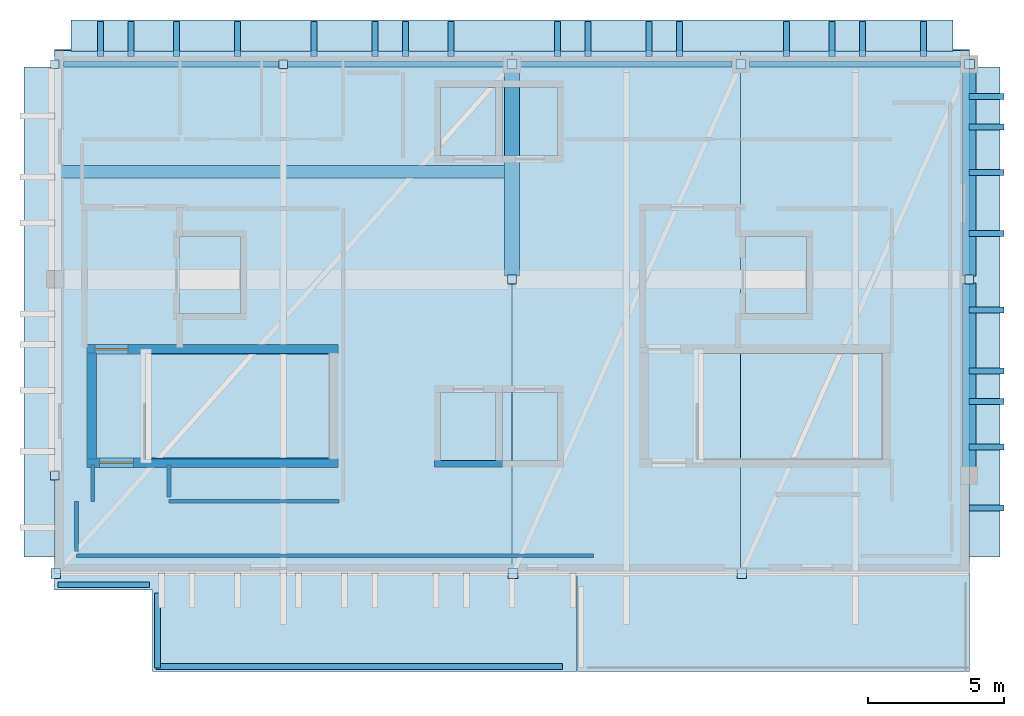
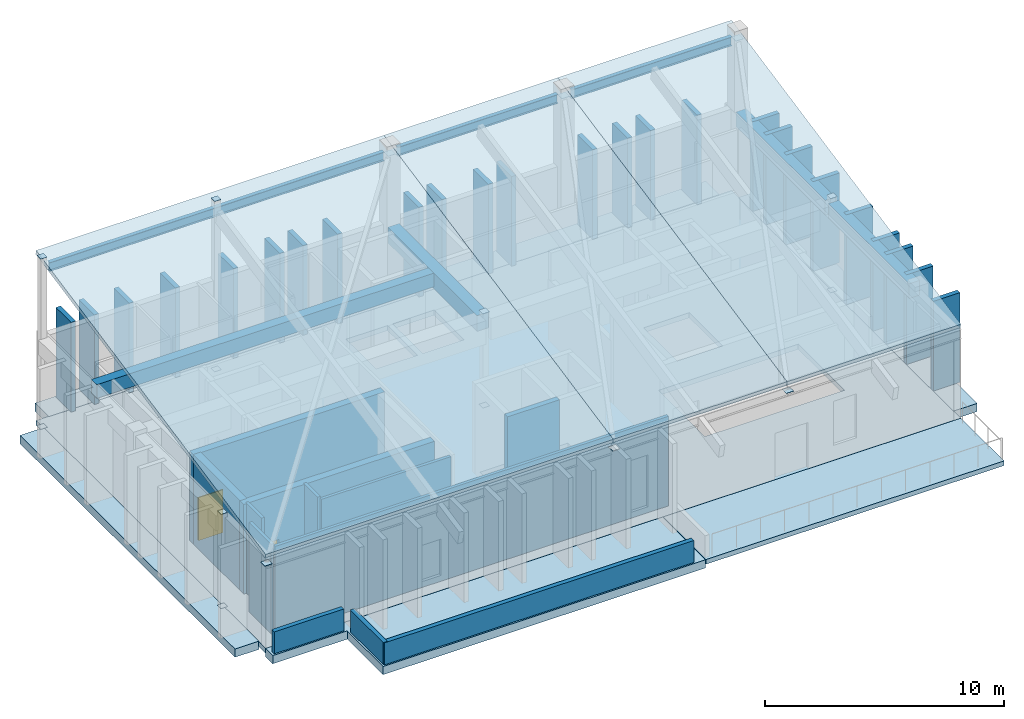
# One storey, part 2 of 5: 25 members, 16 plates, 12 walls, 9 slabs, 7 beams, 2 doors, 2 openings.
"""IFC4 building model written with IfcOpenShell, lengths in metres."""

from ifc_helpers import new_model, si_unit, direction, frame, frame_2d, origin, origin_2d, place, context, subcontext, project, spatial, polyline, rectangle, i_section, outline, extrude, material, layer, layer_set, material_profile, profile_set, type_object, element, fill, save


model = new_model("IFC4")

# Units and contexts
model_context = context("Model", 3, precision=1e-05, world=origin(), true_north=direction((0.0, 1.0)))
body_context = subcontext(model_context, "Body", "Model", "MODEL_VIEW")
ifc_project = project(units=[si_unit("LENGTHUNIT", "METRE"), si_unit("AREAUNIT", "SQUARE_METRE"), si_unit("VOLUMEUNIT", "CUBIC_METRE"), si_unit("PLANEANGLEUNIT", "RADIAN"), si_unit("MASSUNIT", "GRAM", prefix="KILO")], contexts=[model_context])

# Site, building, storey
site_placement = place(None, origin())
site = spatial("IfcSite", under=ifc_project, at=site_placement, CompositionType="ELEMENT")
building_placement = place(site_placement, origin())
building = spatial("IfcBuilding", under=site, at=building_placement, Name="Quendrovan Civic Courthouse", CompositionType="ELEMENT")
storey_placement = place(building_placement, frame((0.0, 0.0, 44.699951171875)))
storey = spatial("IfcBuildingStorey", under=building, at=storey_placement, Name="L10", CompositionType="ELEMENT", Elevation=44.699951171875)

# Beams
ifc_material_1 = material(Name="Concrete C40/50", Category="concrete")
ifc_material_profile_1 = material_profile(ifc_material_1, rectangle(XDim=0.449951171875, YDim=0.699951171875, at=origin_2d()), Name="RC-BM-450x700")
ifc_profile_set_1 = profile_set([ifc_material_profile_1], Name="Concrete C40/50")
beam_type_1 = type_object("IfcBeamType", Name="BM-RC700", PredefinedType="JOIST", material=ifc_profile_set_1)
beam_1_placement = place(storey_placement, frame((33.830078125, 105.949951171875, 4.22998046875), z_axis=(1.0, 0.0, 0.0), x_axis=(0.0, 1.0, 0.0)))
element("IfcBeam", 1, at=beam_1_placement, inside=storey, type_object=beam_type_1, Name="L10 Secondary Joist 1203", PredefinedType="JOIST", context=body_context, shape_type="SweptSolid", body=[
    extrude(rectangle(XDim=0.449951171875, YDim=0.699951171875, at=origin_2d()), origin(), (0.0, 0.0, 1.0), 16.31494140625),
])
ifc_material_profile_2 = material_profile(ifc_material_1, rectangle(XDim=0.5, YDim=0.75, at=origin_2d()), Name="RC-BM-500x750")
ifc_profile_set_2 = profile_set([ifc_material_profile_2], Name="Concrete C40/50")
beam_type_2 = type_object("IfcBeamType", Name="BM-RC750", PredefinedType="SPANDREL", material=ifc_profile_set_2)
beam_2_placement = place(storey_placement, frame((67.199951171875, 95.10498046875, 4.205078125), z_axis=(0.0, 1.0, 0.0), x_axis=(-1.0, 0.0, 0.0)))
element("IfcBeam", 2, at=beam_2_placement, inside=storey, type_object=beam_type_2, Name="L10 Girder Y1201", PredefinedType="SPANDREL", context=body_context, shape_type="SweptSolid", body=[
    extrude(rectangle(XDim=0.5, YDim=0.75, at=origin_2d()), origin(), (0.0, 0.0, 1.0), 6.76513671875),
])
beam_3_placement = place(storey_placement, frame((67.199951171875, 102.1298828125, 4.205078125), z_axis=(0.0, 1.0, 0.0), x_axis=(-1.0, 0.0, 0.0)))
element("IfcBeam", 3, at=beam_3_placement, inside=storey, type_object=beam_type_2, Name="L10 Girder Y1202", PredefinedType="SPANDREL", context=body_context, shape_type="SweptSolid", body=[
    extrude(rectangle(XDim=0.5, YDim=0.75, at=origin_2d()), origin(), (0.0, 0.0, 1.0), 7.465087890625),
])
ifc_material_profile_3 = material_profile(ifc_material_1, rectangle(XDim=0.550048828125, YDim=0.800048828125, at=origin_2d()), Name="RC-BM-550x800")
ifc_profile_set_3 = profile_set([ifc_material_profile_3], Name="Concrete C40/50")
beam_type_3 = type_object("IfcBeamType", Name="BM-RC800", PredefinedType="BEAM", material=ifc_profile_set_3)
beam_4_placement = place(storey_placement, frame((50.39990234375, 102.1298828125, 4.179931640625), z_axis=(0.0, 1.0, 0.0), x_axis=(-1.0, 0.0, 0.0)))
element("IfcBeam", 4, at=beam_4_placement, inside=storey, type_object=beam_type_3, Name="L10 Girder Y1200", PredefinedType="BEAM", context=body_context, shape_type="SweptSolid", body=[
    extrude(rectangle(XDim=0.550048828125, YDim=0.800048828125, at=origin_2d()), origin(), (0.0, 0.0, 1.0), 7.465087890625),
])
ifc_material_2 = material(Name="Steel ASTM A992 Grade 50", Category="steel")
ifc_material_profile_4 = material_profile(ifc_material_2, i_section(OverallWidth=0.18994140625, OverallDepth=0.45703125, WebThickness=0.009033203125, FlangeThickness=0.014404296875, at=origin_2d()), Name="W460x74")
ifc_profile_set_4 = profile_set([ifc_material_profile_4], Name="Steel ASTM A992 Grade 50")
beam_type_4 = type_object("IfcBeamType", Name="BM-STL-W460", PredefinedType="BEAM", material=ifc_profile_set_4)
beam_5_placement = place(storey_placement, frame((33.919921875, 109.89990234375, 8.0810546875), z_axis=(1.0, 0.0, 0.0), x_axis=(0.0, 1.0, 0.0)))
element("IfcBeam", 5, at=beam_5_placement, inside=storey, type_object=beam_type_4, Name="L10 Roof Ridge Beam 1", PredefinedType="BEAM", context=body_context, shape_type="SweptSolid", body=[
    extrude(i_section(OverallWidth=0.18994140625, OverallDepth=0.45703125, WebThickness=0.009033203125, FlangeThickness=0.014404296875, at=origin_2d()), origin(), (0.0, 0.0, 1.0), 16.16015625),
])
beam_6_placement = place(storey_placement, frame((50.719970703125, 109.89990234375, 8.0810546875), z_axis=(1.0, 0.0, 0.0), x_axis=(0.0, 1.0, 0.0)))
element("IfcBeam", 6, at=beam_6_placement, inside=storey, type_object=beam_type_4, Name="L10 Roof Ridge Beam 2", PredefinedType="BEAM", context=body_context, shape_type="SweptSolid", body=[
    extrude(i_section(OverallWidth=0.18994140625, OverallDepth=0.45703125, WebThickness=0.009033203125, FlangeThickness=0.014404296875, at=origin_2d()), origin(), (0.0, 0.0, 1.0), 7.760009765625),
])
beam_7_placement = place(storey_placement, frame((59.1201171875, 109.89990234375, 8.0810546875), z_axis=(1.0, 0.0, 0.0), x_axis=(0.0, 1.0, 0.0)))
element("IfcBeam", 7, at=beam_7_placement, inside=storey, type_object=beam_type_4, Name="L10 Roof Ridge Beam 3", PredefinedType="BEAM", context=body_context, shape_type="SweptSolid", body=[
    extrude(i_section(OverallWidth=0.18994140625, OverallDepth=0.45703125, WebThickness=0.009033203125, FlangeThickness=0.014404296875, at=origin_2d()), origin(), (0.0, 0.0, 1.0), 7.759765625),
])

# Members
ifc_material_3 = material(Name="Precast concrete C45/55", Category="concrete")
ifc_material_profile_5 = material_profile(ifc_material_3, rectangle(XDim=0.219970703125, YDim=1.280029296875, at=origin_2d()), Name="PC-FIN-220x1280")
ifc_profile_set_5 = profile_set([ifc_material_profile_5], Name="Precast concrete C45/55")
member_type = type_object("IfcMemberType", Name="MEM-PC-FIN1280", PredefinedType="USERDEFINED", material=ifc_profile_set_5)
for number, where, z_axis, x_axis, name in (
    (8, (35.280029296875, 110.83203125, 0.0), (0.0, 0.0, 1.0), (1.0, 0.0, 0.0), "L10 Precast Concrete Facade Fin 0292"),
    (9, (36.39990234375, 110.83203125, 0.0), (0.0, 0.0, 1.0), (1.0, 0.0, 0.0), "L10 Precast Concrete Facade Fin 0293"),
    (10, (38.080078125, 110.83203125, 0.0), (0.0, 0.0, 1.0), (1.0, 0.0, 0.0), "L10 Precast Concrete Facade Fin 0294"),
    (11, (40.320068359375, 110.83203125, 0.0), (0.0, 0.0, 1.0), (1.0, 0.0, 0.0), "L10 Precast Concrete Facade Fin 0295"),
    (12, (43.1201171875, 110.83203125, 0.0), (0.0, 0.0, 1.0), (1.0, 0.0, 0.0), "L10 Precast Concrete Facade Fin 0296"),
    (13, (45.360107421875, 110.83203125, 0.0), (0.0, 0.0, 1.0), (1.0, 0.0, 0.0), "L10 Precast Concrete Facade Fin 0297"),
    (14, (46.47998046875, 110.83203125, 0.0), (0.0, 0.0, 1.0), (1.0, 0.0, 0.0), "L10 Precast Concrete Facade Fin 0298"),
    (15, (48.159912109375, 110.83203125, 0.0), (0.0, 0.0, 1.0), (1.0, 0.0, 0.0), "L10 Precast Concrete Facade Fin 0299"),
    (16, (52.080078125, 110.83203125, 0.0), (0.0, 0.0, 1.0), (1.0, 0.0, 0.0), "L10 Precast Concrete Facade Fin 0300"),
    (17, (53.199951171875, 110.83203125, 0.0), (0.0, 0.0, 1.0), (1.0, 0.0, 0.0), "L10 Precast Concrete Facade Fin 0301"),
    (18, (55.43994140625, 110.83203125, 0.0), (0.0, 0.0, 1.0), (1.0, 0.0, 0.0), "L10 Precast Concrete Facade Fin 0302"),
    (19, (56.56005859375, 110.83203125, 0.0), (0.0, 0.0, 1.0), (1.0, 0.0, 0.0), "L10 Precast Concrete Facade Fin 0303"),
    (20, (60.47998046875, 110.83203125, 0.0), (0.0, 0.0, 1.0), (1.0, 0.0, 0.0), "L10 Precast Concrete Facade Fin 0304"),
    (21, (62.159912109375, 110.83203125, 0.0), (0.0, 0.0, 1.0), (1.0, 0.0, 0.0), "L10 Precast Concrete Facade Fin 0305"),
    (22, (63.280029296875, 110.83203125, 0.0), (0.0, 0.0, 1.0), (1.0, 0.0, 0.0), "L10 Precast Concrete Facade Fin 0306"),
    (23, (65.52001953125, 110.83203125, 0.0), (0.0, 0.0, 1.0), (1.0, 0.0, 0.0), "L10 Precast Concrete Facade Fin 0307"),
    (24, (67.83203125, 108.719970703125, 0.0), (0.0, 0.0, 1.0), (0.0, -1.0, 0.0), "L10 Precast Concrete Facade Fin 0308"),
    (25, (67.83203125, 107.60009765625, 0.0), (0.0, 0.0, 1.0), (0.0, -1.0, 0.0), "L10 Precast Concrete Facade Fin 0309"),
    (26, (67.83203125, 105.919921875, 0.0), (0.0, 0.0, 1.0), (0.0, -1.0, 0.0), "L10 Precast Concrete Facade Fin 0310"),
    (27, (67.83203125, 103.679931640625, 0.0), (0.0, 0.0, 1.0), (0.0, -1.0, 0.0), "L10 Precast Concrete Facade Fin 0311"),
    (28, (67.83203125, 100.8798828125, 0.0), (0.0, 0.0, 1.0), (0.0, -1.0, 0.0), "L10 Precast Concrete Facade Fin 0312"),
    (29, (67.83203125, 98.639892578125, 0.0), (0.0, 0.0, 1.0), (0.0, -1.0, 0.0), "L10 Precast Concrete Facade Fin 0313"),
    (30, (67.83203125, 97.52001953125, 0.0), (0.0, 0.0, 1.0), (0.0, -1.0, 0.0), "L10 Precast Concrete Facade Fin 0314"),
    (31, (67.83203125, 95.840087890625, 0.0), (0.0, 0.0, 1.0), (0.0, -1.0, 0.0), "L10 Precast Concrete Facade Fin 0315"),
    (32, (67.83203125, 93.60009765625, 0.0), (0.0, 0.0, 1.0), (0.0, -1.0, 0.0), "L10 Precast Concrete Facade Fin 0316"),
):
    element("IfcMember", number, at=place(storey_placement, frame(where, z_axis=z_axis, x_axis=x_axis)), inside=storey, type_object=member_type, Name=name, ObjectType="PRECAST FACADE FIN", PredefinedType="USERDEFINED", context=body_context, shape_type="SweptSolid", body=[
        extrude(rectangle(XDim=0.219970703125, YDim=1.280029296875, at=origin_2d()), origin(), (0.0, 0.0, 1.0), 4.580078125),
    ])

# Plates
ifc_material_4 = material(Name="Steel ASTM A572 Grade 50", Category="steel")
ifc_layer_1 = layer(ifc_material_4, 0.011962890625, Name="Steel ASTM A572 Grade 50")
ifc_layer_set_1 = layer_set([ifc_layer_1], Name="Steel ASTM A572 Grade 50")
plate_type_1 = type_object("IfcPlateType", Name="PLT-CAP-12", PredefinedType="SHEET", material=ifc_layer_set_1)
for number, where, z_axis, x_axis, name in (
    (33, (33.60009765625, 94.800048828125, 4.80029296875), (0.0, 0.0, 1.0), (1.0, 0.0, 0.0), "L10 Hollow Column End Cap Plate COL-L10-5-N-TOP"),
    (34, (33.60009765625, 94.800048828125, -0.01171875), (0.0, 0.0, 1.0), (1.0, 0.0, 0.0), "L10 Hollow Column End Cap Plate COL-L10-5-N-BOT"),
    (35, (33.60009765625, 109.89990234375, 8.689453125), (0.0, 0.0, 1.0), (1.0, 0.0, 0.0), "L10 Hollow Column End Cap Plate COL-L10-5-Q-TOP"),
    (36, (33.60009765625, 109.89990234375, -0.01171875), (0.0, 0.0, 1.0), (1.0, 0.0, 0.0), "L10 Hollow Column End Cap Plate COL-L10-5-Q-BOT"),
    (37, (42.0, 109.89990234375, 8.689453125), (0.0, 0.0, 1.0), (1.0, 0.0, 0.0), "L10 Hollow Column End Cap Plate COL-L10-6-Q-TOP"),
    (38, (42.0, 109.89990234375, -0.01171875), (0.0, 0.0, 1.0), (1.0, 0.0, 0.0), "L10 Hollow Column End Cap Plate COL-L10-6-Q-BOT"),
    (39, (50.39990234375, 102.0, 4.80029296875), (0.0, 0.0, 1.0), (1.0, 0.0, 0.0), "L10 Hollow Column End Cap Plate COL-L10-7-P-TOP"),
    (40, (50.39990234375, 102.0, -0.01171875), (0.0, 0.0, 1.0), (1.0, 0.0, 0.0), "L10 Hollow Column End Cap Plate COL-L10-7-P-BOT"),
    (41, (67.199951171875, 102.0, 4.80029296875), (0.0, 0.0, 1.0), (1.0, 0.0, 0.0), "L10 Hollow Column End Cap Plate COL-L10-9-P-TOP"),
    (42, (67.199951171875, 102.0, -0.01171875), (0.0, 0.0, 1.0), (1.0, 0.0, 0.0), "L10 Hollow Column End Cap Plate COL-L10-9-P-BOT"),
):
    element("IfcPlate", number, at=place(storey_placement, frame(where, z_axis=z_axis, x_axis=x_axis)), inside=storey, type_object=plate_type_1, Name=name, PredefinedType="SHEET", context=body_context, shape_type="SweptSolid", body=[
        extrude(rectangle(XDim=0.320068359375, YDim=0.320068359375, at=origin_2d()), origin(), (0.0, 0.0, 1.0), 0.011962890625),
    ])
ifc_layer_2 = layer(ifc_material_4, 0.02001953125, Name="Steel ASTM A572 Grade 50")
ifc_layer_set_2 = layer_set([ifc_layer_2], Name="Steel ASTM A572 Grade 50")
plate_type_2 = type_object("IfcPlateType", Name="PLT-GUSSET-20", PredefinedType="USERDEFINED", material=ifc_layer_set_2)
for number, where, z_axis, x_axis, name in (
    (43, (33.639892578125, 91.199951171875, 4.341552734375), (0.0, 0.0, 1.0), (1.0, 0.0, 0.0), "L10 Roof Gusset Plate 1-1"),
    (44, (50.39990234375, 109.89990234375, 8.071044921875), (0.0, 0.0, 1.0), (1.0, 0.0, 0.0), "L10 Roof Gusset Plate 1-2"),
    (45, (50.43994140625, 91.199951171875, 4.341552734375), (0.0, 0.0, 1.0), (1.0, 0.0, 0.0), "L10 Roof Gusset Plate 2-1"),
    (46, (58.800048828125, 109.89990234375, 8.071044921875), (0.0, 0.0, 1.0), (1.0, 0.0, 0.0), "L10 Roof Gusset Plate 2-2"),
    (47, (58.840087890625, 91.199951171875, 4.341552734375), (0.0, 0.0, 1.0), (1.0, 0.0, 0.0), "L10 Roof Gusset Plate 3-1"),
    (48, (67.199951171875, 109.89990234375, 8.071044921875), (0.0, 0.0, 1.0), (1.0, 0.0, 0.0), "L10 Roof Gusset Plate 3-2"),
):
    element("IfcPlate", number, at=place(storey_placement, frame(where, z_axis=z_axis, x_axis=x_axis)), inside=storey, type_object=plate_type_2, Name=name, ObjectType="GUSSET PLATE", PredefinedType="USERDEFINED", context=body_context, shape_type="SweptSolid", body=[
        extrude(rectangle(XDim=0.360107421875, YDim=0.360107421875, at=origin_2d()), origin(), (0.0, 0.0, 1.0), 0.02001953125),
    ])

# Slabs
ifc_material_5 = material(Name="Precast limestone concrete C45/55", Category="masonry")
ifc_layer_3 = layer(ifc_material_5, 0.419921875, Name="Precast limestone concrete C45/55")
ifc_layer_set_3 = layer_set([ifc_layer_3], Name="Precast limestone concrete C45/55")
slab_type_1 = type_object("IfcSlabType", Name="SLB-LEDGE-420", PredefinedType="FLOOR", material=ifc_layer_set_3)
slab_1_placement = place(storey_placement, frame((0.0, 0.0, -0.419921875)))
element("IfcSlab", 49, at=slab_1_placement, inside=storey, type_object=slab_type_1, Name="L10 Precast Architectural Spandrel Fin Shelf 532-0", PredefinedType="FLOOR", context=body_context, shape_type="SweptSolid", body=[
    extrude(outline(polyline([(32.471923828125, 91.800048828125), (32.471923828125, 109.800048828125), (33.6220703125, 109.800048828125), (33.6220703125, 91.800048828125), (32.471923828125, 91.800048828125)])), origin(), (0.0, 0.0, 1.0), 0.419921875),
])
slab_2_placement = place(storey_placement, frame((0.0, 0.0, -0.419921875)))
element("IfcSlab", 50, at=slab_2_placement, inside=storey, type_object=slab_type_1, Name="L10 Precast Architectural Spandrel Fin Shelf 533-0", PredefinedType="FLOOR", context=body_context, shape_type="SweptSolid", body=[
    extrude(outline(polyline([(34.199951171875, 111.528076171875), (66.60009765625, 111.528076171875), (66.60009765625, 110.3779296875), (34.199951171875, 110.3779296875), (34.199951171875, 111.528076171875)])), origin(), (0.0, 0.0, 1.0), 0.419921875),
])
slab_3_placement = place(storey_placement, frame((0.0, 0.0, -0.419921875)))
element("IfcSlab", 51, at=slab_3_placement, inside=storey, type_object=slab_type_1, Name="L10 Precast Architectural Spandrel Fin Shelf 534-0", PredefinedType="FLOOR", context=body_context, shape_type="SweptSolid", body=[
    extrude(outline(polyline([(68.327880859375, 109.800048828125), (68.327880859375, 91.800048828125), (67.177978515625, 91.800048828125), (67.177978515625, 109.800048828125), (68.327880859375, 109.800048828125)])), origin(), (0.0, 0.0, 1.0), 0.419921875),
])
ifc_layer_4 = layer(ifc_material_1, 0.219970703125, Name="Concrete C40/50")
ifc_layer_set_4 = layer_set([ifc_layer_4], Name="Concrete C40/50")
slab_type_2 = type_object("IfcSlabType", Name="SLB-RC-220", PredefinedType="ROOF", material=ifc_layer_set_4)
slab_4_placement = place(storey_placement, frame((33.60009765625, 91.199951171875, 4.800048828125), z_axis=(0.0, -0.198540939872, 0.980092595215), x_axis=(1.0, 0.0, 0.0)))
element("IfcSlab", 52, at=slab_4_placement, inside=storey, type_object=slab_type_2, Name="L10 Upper Court Block Pitched Roof Slab 1", PredefinedType="ROOF", context=body_context, shape_type="SweptSolid", body=[
    extrude(outline(polyline([(0.0, 0.0), (16.7998046875, 0.0), (16.7998046875, 19.589935956682808), (0.0, 19.589935956682808), (0.0, 0.0)])), origin(), (0.0, 0.0, -1.0), 0.219970703125),
])
slab_5_placement = place(storey_placement, frame((50.39990234375, 91.199951171875, 4.800048828125), z_axis=(0.0, -0.198540939872, 0.980092595215), x_axis=(1.0, 0.0, 0.0)))
element("IfcSlab", 53, at=slab_5_placement, inside=storey, type_object=slab_type_2, Name="L10 Upper Court Block Pitched Roof Slab 2", PredefinedType="ROOF", context=body_context, shape_type="SweptSolid", body=[
    extrude(outline(polyline([(0.0, 0.0), (8.400146484375, 0.0), (8.400146484375, 19.589935956682805), (0.0, 19.589935956682805), (0.0, 0.0)])), origin(), (0.0, 0.0, -1.0), 0.219970703125),
])
slab_6_placement = place(storey_placement, frame((58.800048828125, 91.199951171875, 4.800048828125), z_axis=(0.0, -0.198540939872, 0.980092595215), x_axis=(1.0, 0.0, 0.0)))
element("IfcSlab", 54, at=slab_6_placement, inside=storey, type_object=slab_type_2, Name="L10 Upper Court Block Pitched Roof Slab 3", PredefinedType="ROOF", context=body_context, shape_type="SweptSolid", body=[
    extrude(outline(polyline([(0.0, 0.0), (8.39990234375, 0.0), (8.39990234375, 19.589935956682808), (0.0, 19.589935956682808), (0.0, 0.0)])), origin(), (0.0, 0.0, -1.0), 0.219970703125),
])
ifc_layer_5 = layer(ifc_material_1, 0.260009765625, Name="Concrete C40/50")
ifc_layer_set_5 = layer_set([ifc_layer_5], Name="Concrete C40/50")
slab_type_3 = type_object("IfcSlabType", Name="SLB-RC-260", PredefinedType="FLOOR", material=ifc_layer_set_5)
slab_7_placement = place(storey_placement, frame((0.0, 0.0, -0.260009765625)))
element("IfcSlab", 55, at=slab_7_placement, inside=storey, type_object=slab_type_3, Name="L10 Structural Floor Slab V2N", PredefinedType="FLOOR", context=body_context, shape_type="SweptSolid", body=[
    extrude(outline(polyline([(33.60009765625, 91.199951171875), (33.60009765625, 110.39990234375), (67.199951171875, 110.39990234375), (67.199951171875, 91.199951171875), (33.60009765625, 91.199951171875)]), holes=[polyline([(49.800048828125, 97.85009765625), (47.800048828125, 97.85009765625), (47.800048828125, 95.35009765625), (49.800048828125, 95.35009765625), (49.800048828125, 97.85009765625)]), polyline([(52.050048828125, 97.85009765625), (50.050048828125, 97.85009765625), (50.050048828125, 95.35009765625), (52.050048828125, 95.35009765625), (52.050048828125, 97.85009765625)]), polyline([(43.699951171875, 99.280029296875), (36.949951171875, 99.280029296875), (36.949951171875, 95.39990234375), (43.699951171875, 95.39990234375), (43.699951171875, 99.280029296875)]), polyline([(64.0, 99.280029296875), (57.25, 99.280029296875), (57.25, 95.39990234375), (64.0, 95.39990234375), (64.0, 99.280029296875)]), polyline([(40.39990234375, 103.550048828125), (38.199951171875, 103.550048828125), (38.199951171875, 100.75), (40.39990234375, 100.75), (40.39990234375, 103.550048828125)]), polyline([(61.199951171875, 103.550048828125), (59.0, 103.550048828125), (59.0, 100.75), (61.199951171875, 100.75), (61.199951171875, 103.550048828125)]), polyline([(49.800048828125, 109.050048828125), (47.800048828125, 109.050048828125), (47.800048828125, 106.550048828125), (49.800048828125, 106.550048828125), (49.800048828125, 109.050048828125)]), polyline([(52.050048828125, 109.050048828125), (50.050048828125, 109.050048828125), (50.050048828125, 106.550048828125), (52.050048828125, 106.550048828125), (52.050048828125, 109.050048828125)])]), origin(), (0.0, 0.0, 1.0), 0.260009765625),
])
ifc_material_6 = material(Name="Concrete C45/55", Category="concrete")
ifc_layer_6 = layer(ifc_material_6, 0.419921875, Name="Concrete C45/55")
ifc_layer_set_6 = layer_set([ifc_layer_6], Name="Concrete C45/55")
slab_type_4 = type_object("IfcSlabType", Name="SLB-ROOF-420", PredefinedType="ROOF", material=ifc_layer_set_6)
slab_8_placement = place(storey_placement, frame((0.0, 0.0, -0.419921875)))
element("IfcSlab", 56, at=slab_8_placement, inside=storey, type_object=slab_type_4, Name="L10 Step-Back Structural Roof Slab SLB-ROOF-L10-27", PredefinedType="ROOF", context=body_context, shape_type="SweptSolid", body=[
    extrude(outline(polyline([(37.199951171875, 87.60009765625), (37.199951171875, 90.60009765625), (33.60009765625, 90.60009765625), (33.60009765625, 91.199951171875), (52.780029296875, 91.199951171875), (52.780029296875, 87.60009765625), (37.199951171875, 87.60009765625)])), origin(), (0.0, 0.0, 1.0), 0.419921875),
])
ifc_layer_7 = layer(ifc_material_1, 0.239990234375, Name="Concrete C40/50")
ifc_layer_set_7 = layer_set([ifc_layer_7], Name="Concrete C40/50")
slab_type_5 = type_object("IfcSlabType", Name="SLB-TER-240", PredefinedType="FLOOR", material=ifc_layer_set_7)
slab_9_placement = place(storey_placement, frame((0.0, 0.0, -0.239990234375)))
element("IfcSlab", 57, at=slab_9_placement, inside=storey, type_object=slab_type_5, Name="L10 Exterior Judicial Terrace Slab TER-L10-JUD", PredefinedType="FLOOR", context=body_context, shape_type="SweptSolid", body=[
    extrude(outline(polyline([(67.199951171875, 87.60009765625), (67.199951171875, 91.199951171875), (52.800048828125, 91.199951171875), (52.800048828125, 87.60009765625), (67.199951171875, 87.60009765625)])), origin(), (0.0, 0.0, 1.0), 0.239990234375),
])

# Walls
ifc_material_7 = material(Name="Acoustic gypsum stud partition")
ifc_layer_8 = layer(ifc_material_7, 0.139892578125, Name="Acoustic gypsum stud partition")
ifc_layer_set_8 = layer_set([ifc_layer_8], Name="Acoustic gypsum stud partition")
wall_type_1 = type_object("IfcWallType", Name="WL-CHM-140", PredefinedType="PARTITIONING", material=ifc_layer_set_8)
wall_1_placement = place(storey_placement, frame((34.39990234375, 91.85009765625, 0.0), z_axis=(0.0, 0.0, 1.0), x_axis=(1.0, 0.0, 0.0)))
element("IfcWall", 58, at=wall_1_placement, inside=storey, type_object=wall_type_1, Name="L10 Presiding Judges' Chambers Partition 0927", PredefinedType="PARTITIONING", context=body_context, shape_type="SweptSolid", body=[
    extrude(rectangle(XDim=19.0, YDim=0.139892578125, at=frame_2d((9.5, 0.0))), origin(), (0.0, 0.0, 1.0), 4.580078125),
])
wall_2_placement = place(storey_placement, frame((44.050048828125, 93.85009765625, 0.0), z_axis=(0.0, 0.0, 1.0), x_axis=(-1.0, 0.0, 0.0)))
element("IfcWall", 59, at=wall_2_placement, inside=storey, type_object=wall_type_1, Name="L10 Presiding Judges' Chambers Partition 0933", PredefinedType="PARTITIONING", context=body_context, shape_type="SweptSolid", body=[
    extrude(rectangle(XDim=6.25, YDim=0.139892578125, at=frame_2d((3.125, 0.0))), origin(), (0.0, 0.0, 1.0), 4.580078125),
])
wall_3_placement = place(storey_placement, frame((34.39990234375, 93.85009765625, 0.0), z_axis=(0.0, 0.0, 1.0), x_axis=(0.0, -1.0, 0.0)))
element("IfcWall", 60, at=wall_3_placement, inside=storey, type_object=wall_type_1, Name="L10 Presiding Judges' Chambers Partition 0949", PredefinedType="PARTITIONING", context=body_context, shape_type="SweptSolid", body=[
    extrude(rectangle(XDim=1.85009765625, YDim=0.139892578125, at=frame_2d((0.925048828125, 0.0))), origin(), (0.0, 0.0, 1.0), 4.580078125),
])
wall_4_placement = place(storey_placement, frame((37.800048828125, 94.0, 0.0), z_axis=(0.0, 0.0, 1.0), x_axis=(0.0, 1.0, 0.0)))
element("IfcWall", 61, at=wall_4_placement, inside=storey, type_object=wall_type_1, Name="L10 Presiding Judges' Chambers Partition 0950", PredefinedType="PARTITIONING", context=body_context, shape_type="SweptSolid", body=[
    extrude(rectangle(XDim=1.179931640625, YDim=0.139892578125, at=frame_2d((0.58984375, 0.0))), origin(), (0.0, 0.0, 1.0), 4.580078125),
])
wall_5_placement = place(storey_placement, frame((35.0, 95.179931640625, 0.0), z_axis=(0.0, 0.0, 1.0), x_axis=(0.0, -1.0, 0.0)))
element("IfcWall", 62, at=wall_5_placement, inside=storey, type_object=wall_type_1, Name="L10 Presiding Judges' Chambers Partition 0951", PredefinedType="PARTITIONING", context=body_context, shape_type="SweptSolid", body=[
    extrude(rectangle(XDim=1.329833984375, YDim=0.139892578125, at=frame_2d((0.6650390625, 0.0))), origin(), (0.0, 0.0, 1.0), 4.580078125),
])

# Wall, opening, door
ifc_layer_9 = layer(ifc_material_6, 0.35009765625, Name="Concrete C45/55")
ifc_layer_set_9 = layer_set([ifc_layer_9], Name="Concrete C45/55")
wall_type_2 = type_object("IfcWallType", Name="WL-CORE-350", PredefinedType="SHEAR", material=ifc_layer_set_9)
wall_6_placement = place(storey_placement, frame((34.7900390625, 95.264892578125, 0.0), z_axis=(0.0, 0.0, 1.0), x_axis=(1.0, 0.0, 0.0)))
wall_6 = element("IfcWall", 63, at=wall_6_placement, inside=storey, type_object=wall_type_2, Name="L10 Core Shear Wall ST1-S", PredefinedType="SHEAR", context=body_context, shape_type="SweptSolid", body=[
    extrude(rectangle(XDim=9.219970703125, YDim=0.35009765625, at=frame_2d((4.60986328125, 0.0))), origin(), (0.0, 0.0, 1.0), 4.580078125),
])
opening_1_placement = place(wall_6_placement, frame((0.449951171875, 0.0, 0.0)))
opening_1 = element("IfcOpeningElement", 64, at=opening_1_placement, cuts=wall_6, Name="Opening DS-ST1-L10", PredefinedType="OPENING", context=body_context, shape_type="SweptSolid", body=[
    extrude(rectangle(XDim=1.25, YDim=2.199951171875, at=frame_2d((0.625, 1.10009765625))), frame((0.0, 0.18505859375, 0.0), z_axis=(0.0, -1.0, 0.0), x_axis=(1.0, 0.0, 0.0)), (0.0, 0.0, 1.0), 0.3701171875),
])
ifc_material_8 = material(Name="Painted galvanized hollow-metal steel", Category="steel")
door_type_1 = type_object("IfcDoorType", Name="DR-STAIR-1250", OperationType="NOTDEFINED", PredefinedType="DOOR", material=ifc_material_8)
door_1_placement = place(opening_1_placement, origin())
door_1 = element("IfcDoor", 65, at=door_1_placement, inside=storey, type_object=door_type_1, Name="L10 Exit Stair ST1 Fire Door", OperationType="SINGLE_SWING_RIGHT", OverallHeight=2.199951171875, OverallWidth=1.25, PredefinedType="DOOR", context=body_context, shape_type="SweptSolid", body=[
    extrude(rectangle(XDim=1.25, YDim=2.199951171875, at=frame_2d((0.625, 1.10009765625))), frame((0.0, 0.02490234375, 0.0), z_axis=(0.0, -1.0, 0.0), x_axis=(1.0, 0.0, 0.0)), (0.0, 0.0, 1.0), 0.050048828125),
])
fill(opening_1, door_1)

wall_7_placement = place(storey_placement, frame((44.010009765625, 99.43505859375, 0.0), z_axis=(0.0, 0.0, 1.0), x_axis=(-1.0, 0.0, 0.0)))
wall_7 = element("IfcWall", 66, at=wall_7_placement, inside=storey, type_object=wall_type_2, Name="L10 Core Shear Wall ST1-N", PredefinedType="SHEAR", context=body_context, shape_type="SweptSolid", body=[
    extrude(rectangle(XDim=9.219970703125, YDim=0.35009765625, at=frame_2d((4.60986328125, 0.0))), origin(), (0.0, 0.0, 1.0), 4.580078125),
])
opening_2_placement = place(wall_7_placement, frame((7.719970703125, 0.0, 0.0)))
opening_2 = element("IfcOpeningElement", 67, at=opening_2_placement, cuts=wall_7, Name="Opening DFF-ST1-L10", PredefinedType="OPENING", context=body_context, shape_type="SweptSolid", body=[
    extrude(rectangle(XDim=1.199951171875, YDim=2.199951171875, at=frame_2d((0.60009765625, 1.10009765625))), frame((0.0, 0.18505859375, 0.0), z_axis=(0.0, -1.0, 0.0), x_axis=(1.0, 0.0, 0.0)), (0.0, 0.0, 1.0), 0.3701171875),
])
door_type_2 = type_object("IfcDoorType", Name="DR-FFLOB-1200", OperationType="NOTDEFINED", PredefinedType="DOOR", material=ifc_material_8)
door_2_placement = place(opening_2_placement, origin())
door_2 = element("IfcDoor", 68, at=door_2_placement, inside=storey, type_object=door_type_2, Name="L10 Firefighting Lobby FL1 Direct Stair ST1 Door", OperationType="SINGLE_SWING_RIGHT", OverallHeight=2.199951171875, OverallWidth=1.199951171875, PredefinedType="DOOR", context=body_context, shape_type="SweptSolid", body=[
    extrude(rectangle(XDim=1.199951171875, YDim=2.199951171875, at=frame_2d((0.60009765625, 1.10009765625))), frame((0.0, 0.02490234375, 0.0), z_axis=(0.0, -1.0, 0.0), x_axis=(1.0, 0.0, 0.0)), (0.0, 0.0, 1.0), 0.050048828125),
])
fill(opening_2, door_2)

# Walls
wall_8_placement = place(storey_placement, frame((34.965087890625, 95.39990234375, 0.0), z_axis=(0.0, 0.0, 1.0), x_axis=(0.0, 1.0, 0.0)))
element("IfcWall", 69, at=wall_8_placement, inside=storey, type_object=wall_type_2, Name="L10 Core Shear Wall ST1-W", PredefinedType="SHEAR", context=body_context, shape_type="SweptSolid", body=[
    extrude(rectangle(XDim=3.900146484375, YDim=0.35009765625, at=frame_2d((1.9501953125, 0.0))), origin(), (0.0, 0.0, 1.0), 4.580078125),
])
ifc_layer_10 = layer(ifc_material_3, 0.2099609375, Name="Precast concrete C45/55")
ifc_layer_set_10 = layer_set([ifc_layer_10], Name="Precast concrete C45/55")
wall_type_3 = type_object("IfcWallType", Name="WL-PARAPET-210", PredefinedType="PARAPET", material=ifc_layer_set_10)
wall_9_placement = place(storey_placement, frame((37.3798828125, 87.719970703125, 0.0), z_axis=(0.0, 0.0, 1.0), x_axis=(0.0, 1.0, 0.0)))
element("IfcWall", 70, at=wall_9_placement, inside=storey, type_object=wall_type_3, Name="L10 Precast Roof Parapet Wall 72", PredefinedType="PARAPET", context=body_context, shape_type="SweptSolid", body=[
    extrude(rectangle(XDim=2.760009765625, YDim=0.2099609375, at=frame_2d((1.3798828125, 0.0))), origin(), (0.0, 0.0, 1.0), 1.1201171875),
])
wall_10_placement = place(storey_placement, frame((37.080078125, 90.780029296875, 0.0), z_axis=(0.0, 0.0, 1.0), x_axis=(-1.0, 0.0, 0.0)))
element("IfcWall", 71, at=wall_10_placement, inside=storey, type_object=wall_type_3, Name="L10 Precast Roof Parapet Wall 73", PredefinedType="PARAPET", context=body_context, shape_type="SweptSolid", body=[
    extrude(rectangle(XDim=3.360107421875, YDim=0.2099609375, at=frame_2d((1.68017578125, 0.0))), origin(), (0.0, 0.0, 1.0), 1.1201171875),
])
wall_11_placement = place(storey_placement, frame((52.260009765625, 87.780029296875, 0.0), z_axis=(0.0, 0.0, 1.0), x_axis=(-1.0, 0.0, 0.0)))
element("IfcWall", 72, at=wall_11_placement, inside=storey, type_object=wall_type_3, Name="L10 Precast Roof Parapet Wall 74", PredefinedType="PARAPET", context=body_context, shape_type="SweptSolid", body=[
    extrude(rectangle(XDim=14.93994140625, YDim=0.2099609375, at=frame_2d((7.469970703125, 0.0))), origin(), (0.0, 0.0, 1.0), 1.1201171875),
])
ifc_layer_11 = layer(ifc_material_6, 0.25, Name="Concrete C45/55")
ifc_layer_set_11 = layer_set([ifc_layer_11], Name="Concrete C45/55")
wall_type_4 = type_object("IfcWallType", Name="WL-SHAFT-250", PredefinedType="SHEAR", material=ifc_layer_set_11)
wall_12_placement = place(storey_placement, frame((47.550048828125, 95.22509765625, 0.0), z_axis=(0.0, 0.0, 1.0), x_axis=(1.0, 0.0, 0.0)))
element("IfcWall", 73, at=wall_12_placement, inside=storey, type_object=wall_type_4, Name="L10 Lift Hoistway Wall PL3 -Y", PredefinedType="SHEAR", context=body_context, shape_type="SweptSolid", body=[
    extrude(rectangle(XDim=2.5, YDim=0.25, at=frame_2d((1.25, 0.0))), origin(), (0.0, 0.0, 1.0), 4.580078125),
])

save(model, "model.ifc")
